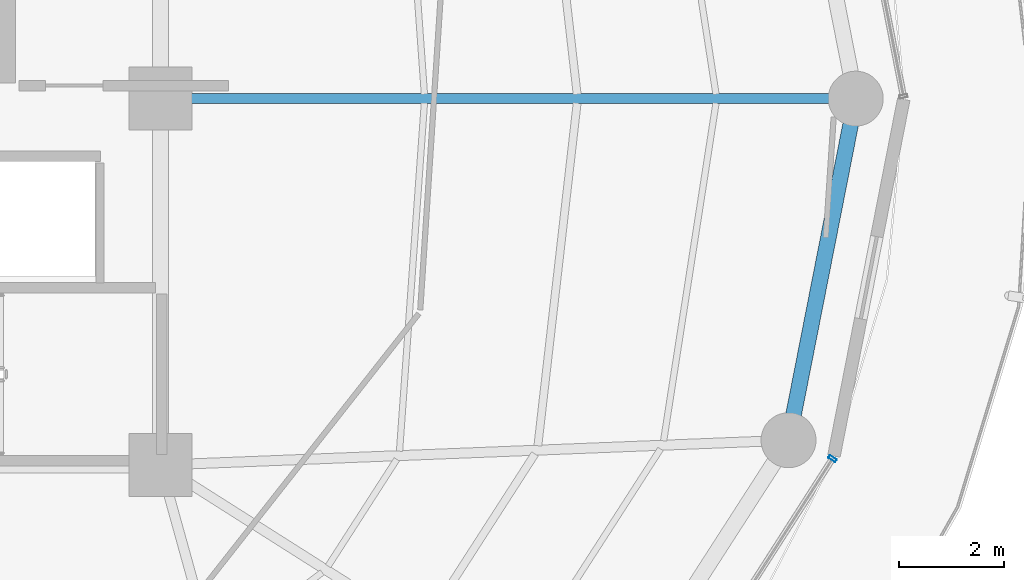
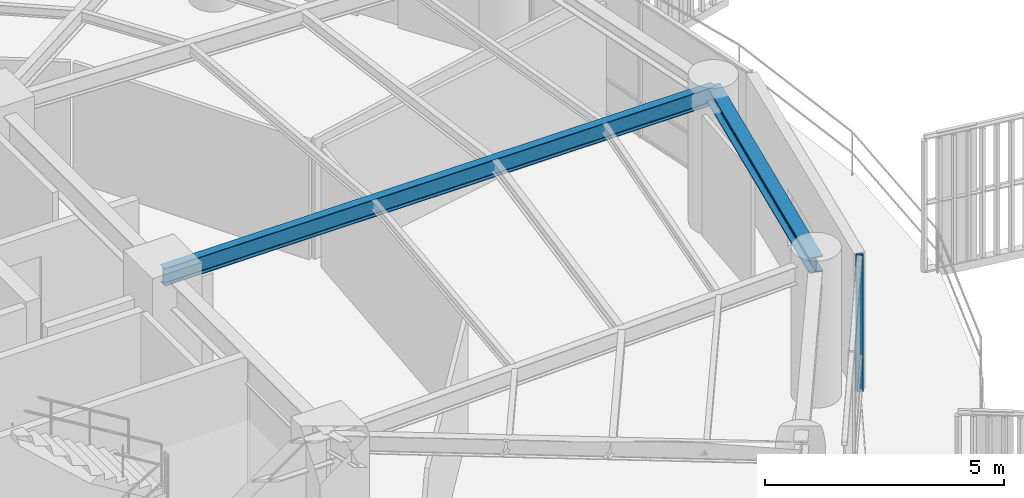
# One storey, part 13 of 31: 2 beams, 1 member, 1 element without a shape of its own.
"""IFC4 building model written with IfcOpenShell, lengths in metres."""

from ifc_helpers import new_model, si_unit, direction, frame, origin, origin_2d, place, context, subcontext, project, spatial, hollow_rectangle, i_section, extrude, material, layer, layer_set, material_profile, profile_set, type_object, element, aggregate, save


model = new_model("IFC4")

# Units and contexts
model_context = context("Model", 3, precision=1e-05, world=origin(), true_north=direction((0.0, 1.0)))
body_context = subcontext(model_context, "Body", "Model", "MODEL_VIEW")
ifc_project = project(units=[si_unit("LENGTHUNIT", "METRE"), si_unit("AREAUNIT", "SQUARE_METRE"), si_unit("VOLUMEUNIT", "CUBIC_METRE"), si_unit("PLANEANGLEUNIT", "RADIAN"), si_unit("MASSUNIT", "GRAM", prefix="KILO")], contexts=[model_context])

# Site, building, storey
site_placement = place(None, origin())
site = spatial("IfcSite", under=ifc_project, at=site_placement, CompositionType="ELEMENT")
building_placement = place(site_placement, origin())
building = spatial("IfcBuilding", under=site, at=building_placement, Name="Kelanora Arch Commons", CompositionType="ELEMENT")
storey_placement = place(building_placement, frame((0.0, 0.0, 196.949951171875)))
storey = spatial("IfcBuildingStorey", under=building, at=storey_placement, Name="L50", CompositionType="ELEMENT", Elevation=196.949951171875)

# Beams
ifc_material_1 = material(Name="Steel S355", Category="steel")
ifc_material_profile_1 = material_profile(ifc_material_1, i_section(OverallWidth=0.18994140625, OverallDepth=0.449951171875, WebThickness=0.009521484375, FlangeThickness=0.0146484375, FilletRadius=0.02099609375, at=origin_2d()), Name="IPE450")
ifc_profile_set_1 = profile_set([ifc_material_profile_1], Name="Steel S355")
beam_type_1 = type_object("IfcBeamType", Name="BM-RAD-Z4", PredefinedType="BEAM", material=ifc_profile_set_1)
beam_1_placement = place(storey_placement, frame((82.0, 58.0, 3.26513671875), z_axis=(1.0, 0.0, 0.0), x_axis=(0.0, 1.0, 0.0)))
element("IfcBeam", 1, at=beam_1_placement, inside=storey, type_object=beam_type_1, Name="Radial Floor Girder BR-00 L50", PredefinedType="BEAM", context=body_context, shape_type="SweptSolid", body=[
    extrude(i_section(OverallWidth=0.18994140625, OverallDepth=0.449951171875, WebThickness=0.009521484375, FlangeThickness=0.0146484375, FilletRadius=0.02099609375, at=origin_2d()), origin(), (0.0, 0.0, 1.0), 13.280029296875),
])
ifc_material_profile_2 = material_profile(ifc_material_1, i_section(OverallWidth=0.300048828125, OverallDepth=0.39990234375, WebThickness=0.013427734375, FlangeThickness=0.02392578125, FilletRadius=0.027099609375, at=origin_2d()), Name="HEB400")
ifc_profile_set_2 = profile_set([ifc_material_profile_2], Name="Steel S355")
beam_type_2 = type_object("IfcBeamType", Name="BM-SPN-Z4", PredefinedType="SPANDREL", material=ifc_profile_set_2)
beam_2_placement = place(storey_placement, frame((93.99658203125, 51.474365234375, 3.2900390625), z_axis=(0.192980724826, 0.981202547819, 0.0), x_axis=(-0.981202547819, 0.192980724826, 0.0)))
element("IfcBeam", 2, at=beam_2_placement, inside=storey, type_object=beam_type_2, Name="Perimeter Spandrel Beam BS-34 L50", PredefinedType="SPANDREL", context=body_context, shape_type="SweptSolid", body=[
    extrude(i_section(OverallWidth=0.300048828125, OverallDepth=0.39990234375, WebThickness=0.013427734375, FlangeThickness=0.02392578125, FilletRadius=0.027099609375, at=origin_2d()), origin(), (0.0, 0.0, 1.0), 6.650634765625),
])

# Curtain wall, member
ifc_material_2 = material(Name="Terracotta ceramic-fritted low-E glass and aluminium", Category="masonry")
ifc_layer = layer(ifc_material_2, 0.175048828125)
ifc_layer_set = layer_set([ifc_layer], Name="Terracotta ceramic-fritted low-E glass and aluminium")
curtain_wall_type = type_object("IfcCurtainWallType", Name="CW-SYS-02", PredefinedType="NOTDEFINED", material=ifc_layer_set)
curtain_wall_placement = place(storey_placement, origin())
curtain_wall = element("IfcCurtainWall", 3, at=curtain_wall_placement, inside=storey, type_object=curtain_wall_type, Name="Unitised Curtain Wall L50-B16", PredefinedType="NOTDEFINED")
ifc_material_3 = material(Name="Powder-coated aluminium terracotta", Category="masonry")
ifc_material_profile_3 = material_profile(ifc_material_3, hollow_rectangle(XDim=0.159912109375, YDim=0.06005859375, WallThickness=0.0048828125, InnerFilletRadius=0.0048828125, OuterFilletRadius=0.010009765625, at=origin_2d()), Name="CWM160x60")
ifc_profile_set_3 = profile_set([ifc_material_profile_3], Name="Powder-coated aluminium terracotta")
member_type = type_object("IfcMemberType", Name="CWM-STD", PredefinedType="MULLION", material=ifc_profile_set_3)
member_placement = place(storey_placement, frame((94.8369140625, 51.121826171875, 0.0), z_axis=(0.0, 0.0, 1.0), x_axis=(-0.84194757539, 0.539559338994, 0.0)))
member = element("IfcMember", 4, at=member_placement, type_object=member_type, Name="CW-02 mullion 3", PredefinedType="MULLION", context=body_context, shape_type="SweptSolid", body=[
    extrude(hollow_rectangle(XDim=0.159912109375, YDim=0.06005859375, WallThickness=0.0048828125, InnerFilletRadius=0.0048828125, OuterFilletRadius=0.010009765625, at=origin_2d()), origin(), (0.0, 0.0, 1.0), 3.47509765625),
])
aggregate(curtain_wall, [member])

save(model, "model.ifc")
